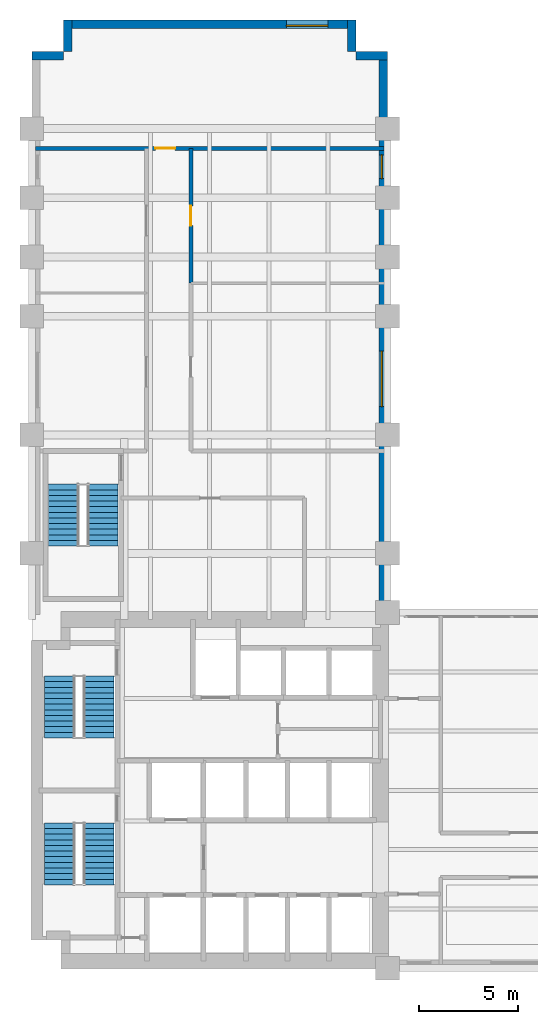
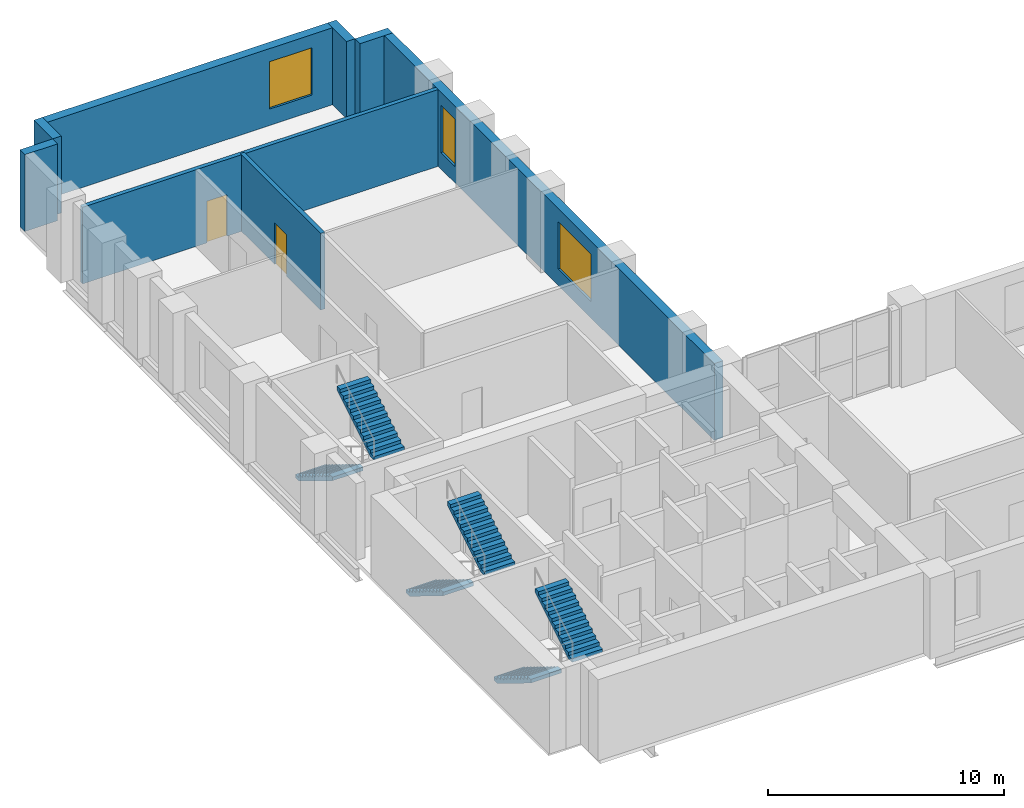
# One storey, part 7 of 8: 8 walls, 6 stair flights, 3 windows, 2 doors, 5 openings, 3 elements without a shape of their own.
"""IFC4 building model written with IfcOpenShell, lengths in metres."""

from ifc_helpers import new_model, si_unit, direction, frame, frame_2d, origin, place, context, subcontext, project, spatial, polyline, rectangle, outline, extrude, material, layer, layer_set, type_object, element, fill, aggregate, save


model = new_model("IFC4")

# Units and contexts
model_context = context("Model", 3, precision=1e-05, world=origin(), true_north=direction((0.0, 1.0)))
body_context = subcontext(model_context, "Body", "Model", "MODEL_VIEW")
ifc_project = project(units=[si_unit("LENGTHUNIT", "METRE"), si_unit("AREAUNIT", "SQUARE_METRE"), si_unit("VOLUMEUNIT", "CUBIC_METRE"), si_unit("PLANEANGLEUNIT", "RADIAN"), si_unit("MASSUNIT", "GRAM", prefix="KILO")], contexts=[model_context])

# Site, building, storey
site_placement = place(None, origin())
site = spatial("IfcSite", under=ifc_project, at=site_placement, CompositionType="ELEMENT")
building_placement = place(site_placement, origin())
building = spatial("IfcBuilding", under=site, at=building_placement, Name="Mawjdan Bourse Tower", CompositionType="ELEMENT")
storey_placement = place(building_placement, frame((0.0, 0.0, 76.199951171875)))
storey = spatial("IfcBuildingStorey", under=building, at=storey_placement, Name="L17", CompositionType="ELEMENT", Elevation=76.199951171875)

# Wall, openings, windows
ifc_material_1 = material(Name="Brick Masonry Buff", Category="masonry")
ifc_layer_1 = layer(ifc_material_1, 0.419921875)
ifc_layer_set_1 = layer_set([ifc_layer_1], Name="Brick Masonry Buff")
wall_type_1 = type_object("IfcWallType", Name="WL-BRK-BUFF-420", PredefinedType="STANDARD", material=ifc_layer_set_1)
wall_1_placement = place(storey_placement, frame((23.7900390625, 21.0, 0.0), z_axis=(0.0, 0.0, 1.0), x_axis=(0.0, 1.0, 0.0)))
wall_1 = element("IfcWall", 1, at=wall_1_placement, inside=storey, type_object=wall_type_1, Name="L17 Exterior Brick Wall 8", PredefinedType="STANDARD", context=body_context, shape_type="SweptSolid", body=[
    extrude(rectangle(XDim=28.39990234375, YDim=0.419921875, at=frame_2d((14.199951171875, 0.0))), origin(), (0.0, 0.0, 1.0), 3.97998046875),
])
opening_1_placement = place(wall_1_placement, frame((10.433349609375, 0.0, 0.85009765625)))
opening_1 = element("IfcOpeningElement", 2, at=opening_1_placement, cuts=wall_1, Name="Opening W-L17-04", PredefinedType="OPENING", context=body_context, shape_type="SweptSolid", body=[
    extrude(rectangle(XDim=2.800048828125, YDim=2.449951171875, at=frame_2d((1.39990234375, 1.22509765625))), frame((0.0, 0.219970703125, 0.0), z_axis=(0.0, -1.0, 0.0), x_axis=(1.0, 0.0, 0.0)), (0.0, 0.0, 1.0), 0.43994140625),
])
opening_2_placement = place(wall_1_placement, frame((21.96630859375, 0.0, 0.85009765625)))
opening_2 = element("IfcOpeningElement", 3, at=opening_2_placement, cuts=wall_1, Name="Opening W-L17-14", PredefinedType="OPENING", context=body_context, shape_type="SweptSolid", body=[
    extrude(rectangle(XDim=1.199951171875, YDim=2.449951171875, at=frame_2d((0.60009765625, 1.22509765625))), frame((0.0, 0.219970703125, 0.0), z_axis=(0.0, -1.0, 0.0), x_axis=(1.0, 0.0, 0.0)), (0.0, 0.0, 1.0), 0.43994140625),
])
ifc_material_2 = material(Name="Solar-Control Clear Double Glazing", Category="glass")
window_type_1 = type_object("IfcWindowType", Name="WN-TRD-1200", PartitioningType="SINGLE_PANEL", PredefinedType="WINDOW", material=ifc_material_2)
window_1_placement = place(opening_2_placement, origin())
window_1 = element("IfcWindow", 4, at=window_1_placement, inside=storey, type_object=window_type_1, Name="L17 Deep-Set Masonry Window W-L17-14", OverallHeight=2.449951171875, OverallWidth=1.199951171875, PartitioningType="SINGLE_PANEL", PredefinedType="WINDOW", context=body_context, shape_type="SweptSolid", body=[
    extrude(rectangle(XDim=1.199951171875, YDim=2.449951171875, at=frame_2d((0.60009765625, 1.22509765625))), frame((0.0, 0.110107421875, 0.0), z_axis=(0.0, -1.0, 0.0), x_axis=(1.0, 0.0, 0.0)), (0.0, 0.0, 1.0), 0.06005859375),
])
fill(opening_2, window_1)
window_type_2 = type_object("IfcWindowType", Name="WN-TRD-2800", PartitioningType="SINGLE_PANEL", PredefinedType="WINDOW", material=ifc_material_2)
window_2_placement = place(opening_1_placement, origin())
window_2 = element("IfcWindow", 5, at=window_2_placement, inside=storey, type_object=window_type_2, Name="L17 Deep-Set Masonry Window W-L17-04", OverallHeight=2.449951171875, OverallWidth=2.800048828125, PartitioningType="SINGLE_PANEL", PredefinedType="WINDOW", context=body_context, shape_type="SweptSolid", body=[
    extrude(rectangle(XDim=2.800048828125, YDim=2.449951171875, at=frame_2d((1.39990234375, 1.22509765625))), frame((0.0, 0.110107421875, 0.0), z_axis=(0.0, -1.0, 0.0), x_axis=(1.0, 0.0, 0.0)), (0.0, 0.0, 1.0), 0.06005859375),
])
fill(opening_1, window_2)

# Walls
for number, where, z_axis, x_axis, name in (
    (6, (24.0, 49.18994140625, 0.0), (0.0, 0.0, 1.0), (-1.0, 0.0, 0.0), "L17 Exterior Brick Wall 9"),
    (7, (22.18994140625, 49.39990234375, 0.0), (0.0, 0.0, 1.0), (0.0, 1.0, 0.0), "L17 Exterior Brick Wall 10"),
):
    element("IfcWall", number, at=place(storey_placement, frame(where, z_axis=z_axis, x_axis=x_axis)), inside=storey, type_object=wall_type_1, Name=name, PredefinedType="STANDARD", context=body_context, shape_type="SweptSolid", body=[
        extrude(rectangle(XDim=1.60009765625, YDim=0.419921875, at=frame_2d((0.800048828125, 0.0))), origin(), (0.0, 0.0, 1.0), 3.97998046875),
    ])

# Wall, opening, window
wall_2_placement = place(storey_placement, frame((22.39990234375, 50.7900390625, 0.0), z_axis=(0.0, 0.0, 1.0), x_axis=(-1.0, 0.0, 0.0)))
wall_2 = element("IfcWall", 8, at=wall_2_placement, inside=storey, type_object=wall_type_1, Name="L17 Exterior Brick Wall 11", PredefinedType="STANDARD", context=body_context, shape_type="SweptSolid", body=[
    extrude(rectangle(XDim=14.7998046875, YDim=0.419921875, at=frame_2d((7.39990234375, 0.0))), origin(), (0.0, 0.0, 1.0), 3.97998046875),
])
opening_3_placement = place(wall_2_placement, frame((1.416748046875, 0.0, 0.85009765625)))
opening_3 = element("IfcOpeningElement", 9, at=opening_3_placement, cuts=wall_2, Name="Opening W-L17-05", PredefinedType="OPENING", context=body_context, shape_type="SweptSolid", body=[
    extrude(rectangle(XDim=2.10009765625, YDim=2.449951171875, at=frame_2d((1.050048828125, 1.22509765625))), frame((0.0, 0.219970703125, 0.0), z_axis=(0.0, -1.0, 0.0), x_axis=(1.0, 0.0, 0.0)), (0.0, 0.0, 1.0), 0.43994140625),
])
window_type_3 = type_object("IfcWindowType", Name="WN-TRD-2100", PartitioningType="SINGLE_PANEL", PredefinedType="WINDOW", material=ifc_material_2)
window_3_placement = place(opening_3_placement, origin())
window_3 = element("IfcWindow", 10, at=window_3_placement, inside=storey, type_object=window_type_3, Name="L17 Deep-Set Masonry Window W-L17-05", OverallHeight=2.449951171875, OverallWidth=2.10009765625, PartitioningType="SINGLE_PANEL", PredefinedType="WINDOW", context=body_context, shape_type="SweptSolid", body=[
    extrude(rectangle(XDim=2.10009765625, YDim=2.449951171875, at=frame_2d((1.050048828125, 1.22509765625))), frame((0.0, 0.110107421875, 0.0), z_axis=(0.0, -1.0, 0.0), x_axis=(1.0, 0.0, 0.0)), (0.0, 0.0, 1.0), 0.06005859375),
])
fill(opening_3, window_3)

# Walls
for number, where, z_axis, x_axis, name in (
    (11, (7.81005859375, 51.0, 0.0), (0.0, 0.0, 1.0), (0.0, -1.0, 0.0), "L17 Exterior Brick Wall 12"),
    (12, (7.60009765625, 49.18994140625, 0.0), (0.0, 0.0, 1.0), (-1.0, 0.0, 0.0), "L17 Exterior Brick Wall 13"),
):
    element("IfcWall", number, at=place(storey_placement, frame(where, z_axis=z_axis, x_axis=x_axis)), inside=storey, type_object=wall_type_1, Name=name, PredefinedType="STANDARD", context=body_context, shape_type="SweptSolid", body=[
        extrude(rectangle(XDim=1.60009765625, YDim=0.419921875, at=frame_2d((0.800048828125, 0.0))), origin(), (0.0, 0.0, 1.0), 3.97998046875),
    ])

# Wall, opening, door
ifc_material_3 = material(Name="Gypsum Fireboard Assembly")
ifc_layer_2 = layer(ifc_material_3, 0.199951171875)
ifc_layer_set_2 = layer_set([ifc_layer_2], Name="Gypsum Fireboard Assembly")
wall_type_2 = type_object("IfcWallType", Name="WL-CMP-200", PredefinedType="PARTITIONING", material=ifc_layer_set_2)
wall_3_placement = place(storey_placement, frame((14.050048828125, 37.679931640625, 0.0), z_axis=(0.0, 0.0, 1.0), x_axis=(0.0, 1.0, 0.0)))
wall_3 = element("IfcWall", 13, at=wall_3_placement, inside=storey, type_object=wall_type_2, Name="L17 Research Library Corridor Wall", PredefinedType="PARTITIONING", context=body_context, shape_type="SweptSolid", body=[
    extrude(rectangle(XDim=6.820068359375, YDim=0.199951171875, at=frame_2d((3.41015625, 0.0))), origin(), (0.0, 0.0, 1.0), 3.969970703125),
])
opening_4_placement = place(wall_3_placement, frame((2.909912109375, 0.0, 0.0)))
opening_4 = element("IfcOpeningElement", 14, at=opening_4_placement, cuts=wall_3, Name="Opening D-L17-31", PredefinedType="OPENING", context=body_context, shape_type="SweptSolid", body=[
    extrude(rectangle(XDim=1.0, YDim=2.14990234375, at=frame_2d((0.5, 1.074951171875))), frame((0.0, 0.10986328125, 0.0), z_axis=(0.0, -1.0, 0.0), x_axis=(1.0, 0.0, 0.0)), (0.0, 0.0, 1.0), 0.219970703125),
])
ifc_material_4 = material(Name="Hardwood Acoustic Leaf", Category="wood")
door_type = type_object("IfcDoorType", Name="DR-OFC-1000", OperationType="NOTDEFINED", PredefinedType="DOOR", material=ifc_material_4)
door_1_placement = place(opening_4_placement, origin())
door_1 = element("IfcDoor", 15, at=door_1_placement, inside=storey, type_object=door_type, Name="L17 Research Library Door D-L17-31", OperationType="SINGLE_SWING_RIGHT", OverallHeight=2.14990234375, OverallWidth=1.0, PredefinedType="DOOR", context=body_context, shape_type="SweptSolid", body=[
    extrude(rectangle(XDim=1.0, YDim=2.14990234375, at=frame_2d((0.5, 1.074951171875))), frame((0.0, 0.02490234375, 0.0), z_axis=(0.0, -1.0, 0.0), x_axis=(1.0, 0.0, 0.0)), (0.0, 0.0, 1.0), 0.050048828125),
])
fill(opening_4, door_1)

wall_4_placement = place(storey_placement, frame((6.179931640625, 44.5, 0.0), z_axis=(0.0, 0.0, 1.0), x_axis=(1.0, 0.0, 0.0)))
wall_4 = element("IfcWall", 16, at=wall_4_placement, inside=storey, type_object=wall_type_2, Name="L17 North Tip Full Cross Wall", PredefinedType="PARTITIONING", context=body_context, shape_type="SweptSolid", body=[
    extrude(rectangle(XDim=17.64013671875, YDim=0.199951171875, at=frame_2d((8.820068359375, 0.0))), origin(), (0.0, 0.0, 1.0), 3.969970703125),
])
opening_5_placement = place(wall_4_placement, frame((6.074951171875, 0.0, 0.0)))
opening_5 = element("IfcOpeningElement", 17, at=opening_5_placement, cuts=wall_4, Name="Opening D-L17-32", PredefinedType="OPENING", context=body_context, shape_type="SweptSolid", body=[
    extrude(rectangle(XDim=1.0, YDim=2.14990234375, at=frame_2d((0.5, 1.074951171875))), frame((0.0, 0.10986328125, 0.0), z_axis=(0.0, -1.0, 0.0), x_axis=(1.0, 0.0, 0.0)), (0.0, 0.0, 1.0), 0.219970703125),
])
door_2_placement = place(opening_5_placement, origin())
door_2 = element("IfcDoor", 18, at=door_2_placement, inside=storey, type_object=door_type, Name="L17 North Tip Suite Door D-L17-32", OperationType="SINGLE_SWING_LEFT", OverallHeight=2.14990234375, OverallWidth=1.0, PredefinedType="DOOR", context=body_context, shape_type="SweptSolid", body=[
    extrude(rectangle(XDim=1.0, YDim=2.14990234375, at=frame_2d((0.5, 1.074951171875))), frame((0.0, 0.02490234375, 0.0), z_axis=(0.0, -1.0, 0.0), x_axis=(1.0, 0.0, 0.0)), (0.0, 0.0, 1.0), 0.050048828125),
])
fill(opening_5, door_2)

# Stair, stair flights
ifc_material_5 = material(Name="Concrete C50/60", Category="concrete")
stair_type = type_object("IfcStairType", Name="STR-CORE-1500", PredefinedType="HALF_TURN_STAIR", material=ifc_material_5)
stair_1_placement = place(storey_placement, origin())
stair_1 = element("IfcStair", 19, at=stair_1_placement, inside=storey, type_object=stair_type, Name="L17 Exit Stair 1 (Core South-West)", PredefinedType="HALF_TURN_STAIR")
stair_flight_type = type_object("IfcStairFlightType", Name="SFL-RC-1500", PredefinedType="STRAIGHT", material=ifc_material_5)
stair_flight_1_placement = place(storey_placement, frame((7.389892578125, 10.35009765625, 0.0), z_axis=(0.0, 0.0, 1.0), x_axis=(0.0, -1.0, 0.0)))
stair_flight_1 = element("IfcStairFlight", 20, at=stair_flight_1_placement, type_object=stair_flight_type, Name="ST1-L17 flight 1", NumberOfRisers=12, NumberOfTreads=11, PredefinedType="STRAIGHT", RiserHeight=0.175, TreadLength=0.285, context=body_context, shape_type="SweptSolid", body=[
    extrude(outline(polyline([(0.0, 0.0), (0.0, 0.175048828125), (0.284912109375, 0.175048828125), (0.284912109375, 0.35009765625), (0.570068359375, 0.35009765625), (0.570068359375, 0.52490234375), (0.85498046875, 0.52490234375), (0.85498046875, 0.699951171875), (1.139892578125, 0.699951171875), (1.139892578125, 0.875), (1.425048828125, 0.875), (1.425048828125, 1.050048828125), (1.7099609375, 1.050048828125), (1.7099609375, 1.22509765625), (1.9951171875, 1.22509765625), (1.9951171875, 1.39990234375), (2.280029296875, 1.39990234375), (2.280029296875, 1.574951171875), (2.56494140625, 1.574951171875), (2.56494140625, 1.75), (2.85009765625, 1.75), (2.85009765625, 1.925048828125), (3.135009765625, 1.925048828125), (3.135009765625, 2.10009765625), (3.135009765625, 1.7373046875), (0.3056640625, 0.0), (0.0, 0.0)])), frame((0.0, 0.75, 0.0), z_axis=(0.0, -1.0, 0.0), x_axis=(1.0, 0.0, 0.0)), (0.0, 0.0, 1.0), 1.5),
])
stair_flight_2_placement = place(storey_placement, frame((9.409912109375, 7.215087890625, 2.10009765625), z_axis=(0.0, 0.0, 1.0), x_axis=(0.0, 1.0, 0.0)))
stair_flight_2 = element("IfcStairFlight", 21, at=stair_flight_2_placement, type_object=stair_flight_type, Name="ST1-L17 flight 2", NumberOfRisers=12, NumberOfTreads=11, PredefinedType="STRAIGHT", RiserHeight=0.175, TreadLength=0.285, context=body_context, shape_type="SweptSolid", body=[
    extrude(outline(polyline([(0.0, 0.0), (0.0, 0.175048828125), (0.284912109375, 0.175048828125), (0.284912109375, 0.35009765625), (0.570068359375, 0.35009765625), (0.570068359375, 0.52490234375), (0.85498046875, 0.52490234375), (0.85498046875, 0.699951171875), (1.139892578125, 0.699951171875), (1.139892578125, 0.875), (1.425048828125, 0.875), (1.425048828125, 1.050048828125), (1.7099609375, 1.050048828125), (1.7099609375, 1.22509765625), (1.9951171875, 1.22509765625), (1.9951171875, 1.39990234375), (2.280029296875, 1.39990234375), (2.280029296875, 1.574951171875), (2.56494140625, 1.574951171875), (2.56494140625, 1.75), (2.85009765625, 1.75), (2.85009765625, 1.925048828125), (3.135009765625, 1.925048828125), (3.135009765625, 2.10009765625), (3.135009765625, 1.7373046875), (0.3056640625, 0.0), (0.0, 0.0)])), frame((0.0, 0.75, 0.0), z_axis=(0.0, -1.0, 0.0), x_axis=(1.0, 0.0, 0.0)), (0.0, 0.0, 1.0), 1.5),
])
aggregate(stair_1, [stair_flight_1, stair_flight_2])

stair_2_placement = place(storey_placement, origin())
stair_2 = element("IfcStair", 22, at=stair_2_placement, inside=storey, type_object=stair_type, Name="L17 Exit Stair 2 (Core North-West)", PredefinedType="HALF_TURN_STAIR")
stair_flight_3_placement = place(storey_placement, frame((7.389892578125, 17.7900390625, 0.0), z_axis=(0.0, 0.0, 1.0), x_axis=(0.0, -1.0, 0.0)))
stair_flight_3 = element("IfcStairFlight", 23, at=stair_flight_3_placement, type_object=stair_flight_type, Name="ST2-L17 flight 1", NumberOfRisers=12, NumberOfTreads=11, PredefinedType="STRAIGHT", RiserHeight=0.175, TreadLength=0.285, context=body_context, shape_type="SweptSolid", body=[
    extrude(outline(polyline([(0.0, 0.0), (0.0, 0.175048828125), (0.284912109375, 0.175048828125), (0.284912109375, 0.35009765625), (0.570068359375, 0.35009765625), (0.570068359375, 0.52490234375), (0.85498046875, 0.52490234375), (0.85498046875, 0.699951171875), (1.139892578125, 0.699951171875), (1.139892578125, 0.875), (1.425048828125, 0.875), (1.425048828125, 1.050048828125), (1.7099609375, 1.050048828125), (1.7099609375, 1.22509765625), (1.9951171875, 1.22509765625), (1.9951171875, 1.39990234375), (2.280029296875, 1.39990234375), (2.280029296875, 1.574951171875), (2.56494140625, 1.574951171875), (2.56494140625, 1.75), (2.85009765625, 1.75), (2.85009765625, 1.925048828125), (3.135009765625, 1.925048828125), (3.135009765625, 2.10009765625), (3.135009765625, 1.7373046875), (0.3056640625, 0.0), (0.0, 0.0)])), frame((0.0, 0.75, 0.0), z_axis=(0.0, -1.0, 0.0), x_axis=(1.0, 0.0, 0.0)), (0.0, 0.0, 1.0), 1.5),
])
stair_flight_4_placement = place(storey_placement, frame((9.409912109375, 14.655029296875, 2.10009765625), z_axis=(0.0, 0.0, 1.0), x_axis=(0.0, 1.0, 0.0)))
stair_flight_4 = element("IfcStairFlight", 24, at=stair_flight_4_placement, type_object=stair_flight_type, Name="ST2-L17 flight 2", NumberOfRisers=12, NumberOfTreads=11, PredefinedType="STRAIGHT", RiserHeight=0.175, TreadLength=0.285, context=body_context, shape_type="SweptSolid", body=[
    extrude(outline(polyline([(0.0, 0.0), (0.0, 0.175048828125), (0.284912109375, 0.175048828125), (0.284912109375, 0.35009765625), (0.570068359375, 0.35009765625), (0.570068359375, 0.52490234375), (0.85498046875, 0.52490234375), (0.85498046875, 0.699951171875), (1.139892578125, 0.699951171875), (1.139892578125, 0.875), (1.425048828125, 0.875), (1.425048828125, 1.050048828125), (1.7099609375, 1.050048828125), (1.7099609375, 1.22509765625), (1.9951171875, 1.22509765625), (1.9951171875, 1.39990234375), (2.280029296875, 1.39990234375), (2.280029296875, 1.574951171875), (2.56494140625, 1.574951171875), (2.56494140625, 1.75), (2.85009765625, 1.75), (2.85009765625, 1.925048828125), (3.135009765625, 1.925048828125), (3.135009765625, 2.10009765625), (3.135009765625, 1.7373046875), (0.3056640625, 0.0), (0.0, 0.0)])), frame((0.0, 0.75, 0.0), z_axis=(0.0, -1.0, 0.0), x_axis=(1.0, 0.0, 0.0)), (0.0, 0.0, 1.0), 1.5),
])
aggregate(stair_2, [stair_flight_3, stair_flight_4])

stair_3_placement = place(storey_placement, origin())
stair_3 = element("IfcStair", 25, at=stair_3_placement, inside=storey, type_object=stair_type, Name="L17 Exit Stair 3 (North Wing)", PredefinedType="HALF_TURN_STAIR")
stair_flight_5_placement = place(storey_placement, frame((7.590087890625, 27.5, 0.0), z_axis=(0.0, 0.0, 1.0), x_axis=(0.0, -1.0, 0.0)))
stair_flight_5 = element("IfcStairFlight", 26, at=stair_flight_5_placement, type_object=stair_flight_type, Name="ST3-L17 flight 1", NumberOfRisers=12, NumberOfTreads=11, PredefinedType="STRAIGHT", RiserHeight=0.175, TreadLength=0.285, context=body_context, shape_type="SweptSolid", body=[
    extrude(outline(polyline([(0.0, 0.0), (0.0, 0.175048828125), (0.284912109375, 0.175048828125), (0.284912109375, 0.35009765625), (0.570068359375, 0.35009765625), (0.570068359375, 0.52490234375), (0.85498046875, 0.52490234375), (0.85498046875, 0.699951171875), (1.139892578125, 0.699951171875), (1.139892578125, 0.875), (1.425048828125, 0.875), (1.425048828125, 1.050048828125), (1.7099609375, 1.050048828125), (1.7099609375, 1.22509765625), (1.9951171875, 1.22509765625), (1.9951171875, 1.39990234375), (2.280029296875, 1.39990234375), (2.280029296875, 1.574951171875), (2.56494140625, 1.574951171875), (2.56494140625, 1.75), (2.85009765625, 1.75), (2.85009765625, 1.925048828125), (3.135009765625, 1.925048828125), (3.135009765625, 2.10009765625), (3.135009765625, 1.7373046875), (0.3056640625, 0.0), (0.0, 0.0)])), frame((0.0, 0.75, 0.0), z_axis=(0.0, -1.0, 0.0), x_axis=(1.0, 0.0, 0.0)), (0.0, 0.0, 1.0), 1.5),
])
stair_flight_6_placement = place(storey_placement, frame((9.610107421875, 24.364990234375, 2.10009765625), z_axis=(0.0, 0.0, 1.0), x_axis=(0.0, 1.0, 0.0)))
stair_flight_6 = element("IfcStairFlight", 27, at=stair_flight_6_placement, type_object=stair_flight_type, Name="ST3-L17 flight 2", NumberOfRisers=12, NumberOfTreads=11, PredefinedType="STRAIGHT", RiserHeight=0.175, TreadLength=0.285, context=body_context, shape_type="SweptSolid", body=[
    extrude(outline(polyline([(0.0, 0.0), (0.0, 0.175048828125), (0.284912109375, 0.175048828125), (0.284912109375, 0.35009765625), (0.570068359375, 0.35009765625), (0.570068359375, 0.52490234375), (0.85498046875, 0.52490234375), (0.85498046875, 0.699951171875), (1.139892578125, 0.699951171875), (1.139892578125, 0.875), (1.425048828125, 0.875), (1.425048828125, 1.050048828125), (1.7099609375, 1.050048828125), (1.7099609375, 1.22509765625), (1.9951171875, 1.22509765625), (1.9951171875, 1.39990234375), (2.280029296875, 1.39990234375), (2.280029296875, 1.574951171875), (2.56494140625, 1.574951171875), (2.56494140625, 1.75), (2.85009765625, 1.75), (2.85009765625, 1.925048828125), (3.135009765625, 1.925048828125), (3.135009765625, 2.10009765625), (3.135009765625, 1.7373046875), (0.3056640625, 0.0), (0.0, 0.0)])), frame((0.0, 0.75, 0.0), z_axis=(0.0, -1.0, 0.0), x_axis=(1.0, 0.0, 0.0)), (0.0, 0.0, 1.0), 1.5),
])
aggregate(stair_3, [stair_flight_5, stair_flight_6])

save(model, "model.ifc")
